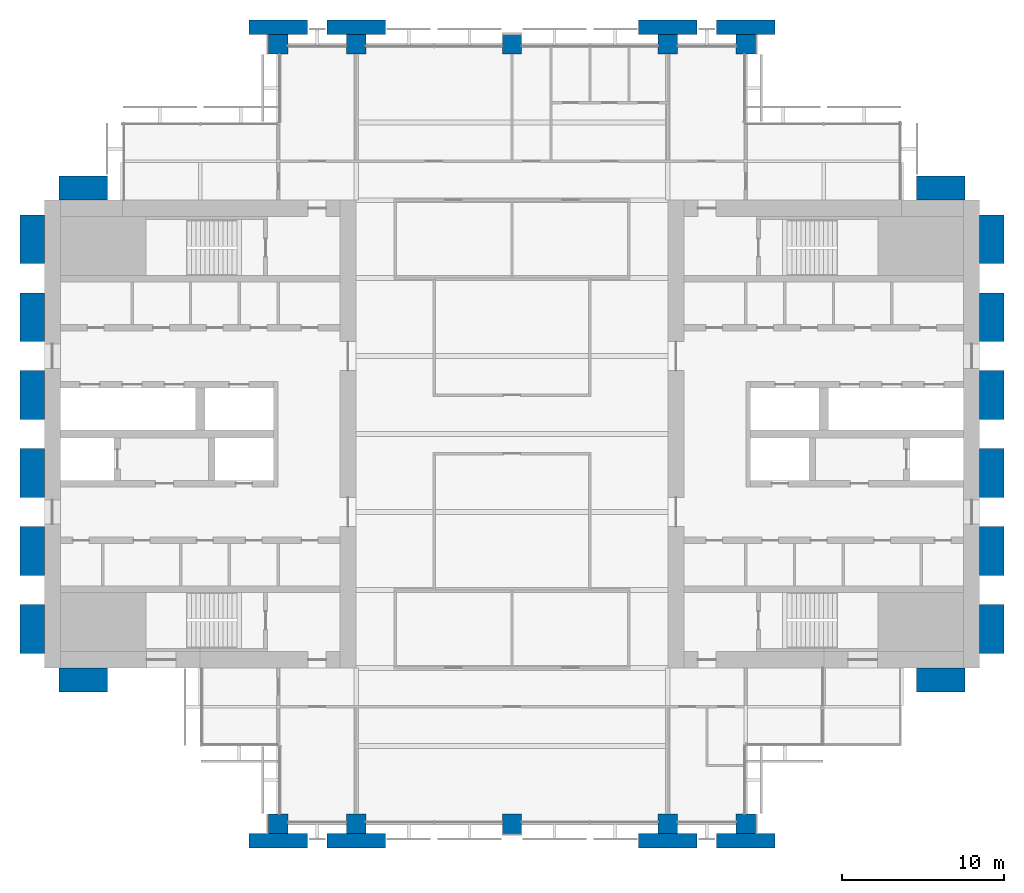
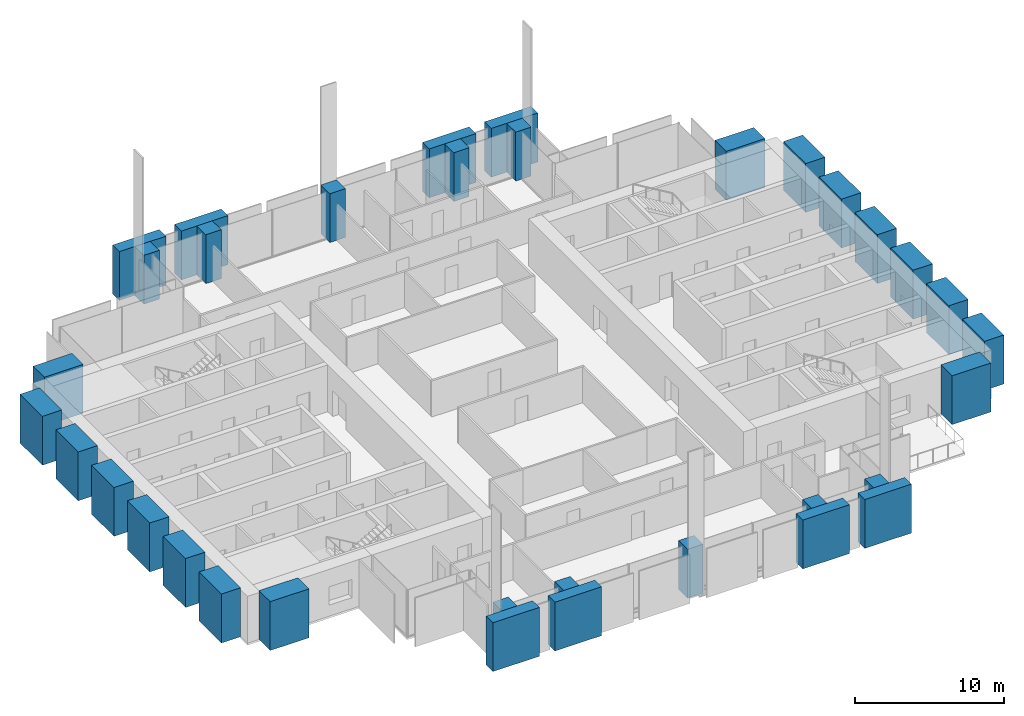
# One storey, part 1 of 14: 34 columns.
"""IFC4 building model written with IfcOpenShell, lengths in metres."""

import ifcopenshell
import ifcopenshell.guid

model = None  # the IFC model being written
_history = None  # IfcOwnerHistory: only IFC2X3 demands one
_inside = {}  # id of a spatial element -> (the spatial element, [elements in it])
_under = {}  # id of a project, library or spatial element -> (it, [spatial elements below it])
_declared = {}  # id of a project -> (the project, [libraries it declares])
_typed = {}  # id of a type object -> (the type object, [elements of that type])
_made_of = {}  # id of a material, layer set ... -> (it, [elements and type objects made of it])


def new_model(schema):
    """Start an empty IFC model of exactly this schema.

    Asked for "IFC4X3", IfcOpenShell would pick the latest addendum, in which some entities
    have other attributes; the version numbers below select the first issue.
    IFC2X3 requires an IfcOwnerHistory on every rooted entity: one is made here for all.
    """
    global model, _history
    if schema == "IFC4X3":
        model = ifcopenshell.file(schema_version=(4, 3, 0, 0))
    else:
        model = ifcopenshell.file(schema=schema)
    _inside.clear()
    _under.clear()
    _declared.clear()
    _typed.clear()
    _made_of.clear()
    _history = None
    if model.schema == "IFC2X3":
        org = make("IfcOrganization", Name="unknown")
        user = make(
            "IfcPersonAndOrganization",
            ThePerson=make("IfcPerson", FamilyName="unknown"),
            TheOrganization=org,
        )
        app = make(
            "IfcApplication",
            ApplicationDeveloper=org,
            Version="unknown",
            ApplicationFullName="unknown",
            ApplicationIdentifier="unknown",
        )
        _history = make(
            "IfcOwnerHistory",
            OwningUser=user,
            OwningApplication=app,
            ChangeAction="ADDED",
            CreationDate=0,
        )
    return model


def make(cls, **values):
    """One entity of the class cls with the attributes given. An attribute that is None is left unset."""
    return model.create_entity(
        cls, **{name: value for name, value in values.items() if value is not None}
    )


def rooted(cls, **values):
    """An entity with a GlobalId (a new one), such as an element, a storey or a relation."""
    return make(cls, GlobalId=ifcopenshell.guid.new(), OwnerHistory=_history, **values)


def si_unit(unit_type, name, prefix=None):
    """IfcSIUnit, for example si_unit("LENGTHUNIT", "METRE", prefix="MILLI")."""
    return make("IfcSIUnit", UnitType=unit_type, Prefix=prefix, Name=name)


def assignment(units):
    """IfcUnitAssignment: the units of a project."""
    return None if units is None else make("IfcUnitAssignment", Units=units)


def point(xyz):
    """IfcCartesianPoint."""
    return None if xyz is None else make("IfcCartesianPoint", Coordinates=xyz)


def direction(xyz):
    """IfcDirection."""
    return None if xyz is None else make("IfcDirection", DirectionRatios=xyz)


def frame(location, z_axis=None, x_axis=None):
    """IfcAxis2Placement3D, a coordinate frame: its origin and axes. An axis left out is left unset."""
    return make(
        "IfcAxis2Placement3D",
        Location=point(location),
        Axis=direction(z_axis),
        RefDirection=direction(x_axis),
    )


def frame_2d(location, x_axis=None):
    """IfcAxis2Placement2D, a coordinate frame in the plane: its origin and x axis."""
    return make(
        "IfcAxis2Placement2D", Location=point(location), RefDirection=direction(x_axis)
    )


def origin():
    """The frame at (0, 0, 0) with its axes left unset."""
    return frame((0.0, 0.0, 0.0))


def origin_2d():
    """The frame at (0, 0) in the plane with its x axis left unset."""
    return frame_2d((0.0, 0.0))


def place(relative_to, where):
    """IfcLocalPlacement: puts the frame where relative to a parent placement (None: the world)."""
    return make(
        "IfcLocalPlacement", PlacementRelTo=relative_to, RelativePlacement=where
    )


def context(
    kind, dimensions, precision=None, world=None, true_north=None, identifier=None
):
    """IfcGeometricRepresentationContext, for example the 3D "Model" context."""
    return make(
        "IfcGeometricRepresentationContext",
        ContextIdentifier=identifier,
        ContextType=kind,
        CoordinateSpaceDimension=dimensions,
        Precision=precision,
        WorldCoordinateSystem=world,
        TrueNorth=true_north,
    )


def subcontext(parent, identifier, kind, view, scale=None):
    """IfcGeometricRepresentationSubContext, for example "Body" below "Model"."""
    return make(
        "IfcGeometricRepresentationSubContext",
        ContextIdentifier=identifier,
        ContextType=kind,
        ParentContext=parent,
        TargetScale=scale,
        TargetView=view,
    )


def project(units=None, contexts=None):
    """IfcProject with its units and contexts."""
    return rooted(
        "IfcProject",
        Name="project",
        RepresentationContexts=contexts,
        UnitsInContext=assignment(units),
    )


def spatial(cls, under=None, at=None, **own):
    """A site, building, storey or space (cls), placed at a placement, below another one or the project."""
    s = rooted(cls, ObjectPlacement=at, **own)
    if under is not None:
        _under.setdefault(under.id(), (under, []))[1].append(s)
    return s


def profile(cls, at=None, kind="AREA", **sizes):
    """A parametric profile (cls). Its sizes go by their IFC names, for example OverallWidth=200.0."""
    return make(cls, ProfileType=kind, Position=at, **sizes)


def rectangle(**sizes):
    """IfcRectangleProfileDef."""
    return profile("IfcRectangleProfileDef", **sizes)


def extrude(swept, where, along, depth):
    """IfcExtrudedAreaSolid: the profile swept, set in the frame where, extruded along a direction by depth."""
    return make(
        "IfcExtrudedAreaSolid",
        SweptArea=swept,
        Position=where,
        ExtrudedDirection=direction(along),
        Depth=depth,
    )


def shape(context_of_items, identifier, shape_type, items):
    """IfcShapeRepresentation: the items that make up one representation, for example the "Body"."""
    return make(
        "IfcShapeRepresentation",
        ContextOfItems=context_of_items,
        RepresentationIdentifier=identifier,
        RepresentationType=shape_type,
        Items=items,
    )


def material(Name=None, Category=None):
    """IfcMaterial."""
    return make("IfcMaterial", Name=Name, Category=Category)


def material_profile(
    of_material, cross_section, Name=None, Category=None, Priority=None
):
    """IfcMaterialProfile: a cross section and its material."""
    return make(
        "IfcMaterialProfile",
        Name=Name,
        Material=of_material,
        Profile=cross_section,
        Priority=Priority,
        Category=Category,
    )


def profile_set(profiles, Name=None, composite=None):
    """IfcMaterialProfileSet."""
    return make(
        "IfcMaterialProfileSet",
        Name=Name,
        MaterialProfiles=profiles,
        CompositeProfile=composite,
    )


def made_of(thing, what):
    """Note that an element or type object is made of a material, layer set ...; save() writes the relation."""
    if what is not None:
        _made_of.setdefault(what.id(), (what, []))[1].append(thing)
    return thing


def type_object(cls, material=None, **own):
    """A type object (cls), such as IfcWallType, which elements share."""
    return made_of(rooted(cls, **own), material)


def element(
    cls,
    number,
    at=None,
    inside=None,
    cuts=None,
    type_object=None,
    material=None,
    context=None,
    identifier="Body",
    shape_type=None,
    held_by="IfcProductDefinitionShape",
    body=None,
    shapes=None,
    **own,
):
    """One element of the class cls, such as IfcWall. Its Tag is "e" and its number.

    at: its placement. inside: the storey or other place that contains it. cuts: it is an
    opening in that element (IfcRelVoidsElement). A single representation is given by context,
    identifier, shape_type and body (its items); several are given by shapes. held_by: the class
    of the entity that holds the representations. save() writes the other relations.
    """
    e = rooted(cls, Tag="e%d" % number, ObjectPlacement=at, **own)
    if body is not None:
        shapes = [shape(context, identifier, shape_type, body)]
    if shapes is not None:
        e.Representation = make(held_by, Representations=shapes)
    if inside is not None:
        _inside.setdefault(inside.id(), (inside, []))[1].append(e)
    if cuts is not None:
        rooted(
            "IfcRelVoidsElement", RelatingBuildingElement=cuts, RelatedOpeningElement=e
        )
    if type_object is not None:
        _typed.setdefault(type_object.id(), (type_object, []))[1].append(e)
    return made_of(e, material)


def aggregate(whole, parts):
    """IfcRelAggregates: a whole, such as a stair, and the parts it consists of."""
    return rooted("IfcRelAggregates", RelatingObject=whole, RelatedObjects=parts)


def save(model, path):
    """Write the relations noted so far, then the file.

    IfcRelAggregates (storeys below a building ...), IfcRelContainedInSpatialStructure (elements
    in a storey), IfcRelDefinesByType, IfcRelAssociatesMaterial and IfcRelDeclares: one each for
    every whole, place, type object, material and project.
    """
    for whole, parts in _under.values():
        aggregate(whole, parts)
    for where, things in _inside.values():
        rooted(
            "IfcRelContainedInSpatialStructure",
            RelatedElements=things,
            RelatingStructure=where,
        )
    for kind, things in _typed.values():
        rooted("IfcRelDefinesByType", RelatedObjects=things, RelatingType=kind)
    for what, things in _made_of.values():
        rooted("IfcRelAssociatesMaterial", RelatedObjects=things, RelatingMaterial=what)
    for by, libraries in _declared.values():
        rooted("IfcRelDeclares", RelatingContext=by, RelatedDefinitions=libraries)
    model.write(path)


model = new_model("IFC4")

# Units and contexts
model_context = context("Model", 3, precision=1e-05, world=origin(), true_north=direction((0.0, 1.0)))
body_context = subcontext(model_context, "Body", "Model", "MODEL_VIEW")
ifc_project = project(units=[si_unit("LENGTHUNIT", "METRE"), si_unit("AREAUNIT", "SQUARE_METRE"), si_unit("VOLUMEUNIT", "CUBIC_METRE"), si_unit("PLANEANGLEUNIT", "RADIAN"), si_unit("MASSUNIT", "GRAM", prefix="KILO")], contexts=[model_context])

# Site, building, storey
site_placement = place(None, origin())
site = spatial("IfcSite", under=ifc_project, at=site_placement, CompositionType="ELEMENT")
building_placement = place(site_placement, origin())
building = spatial("IfcBuilding", under=site, at=building_placement, Name="Baori Bourse Tower", CompositionType="ELEMENT")
storey_placement = place(building_placement, frame((0.0, 0.0, 120.10009765625)))
storey = spatial("IfcBuildingStorey", under=building, at=storey_placement, Name="L25", CompositionType="ELEMENT", Elevation=120.10009765625)

# Columns
ifc_material_1 = material(Name="Concrete f'c 60 MPa", Category="concrete")
ifc_material_profile_1 = material_profile(ifc_material_1, rectangle(XDim=3.60009765625, YDim=0.89990234375, at=origin_2d()), Name="RC 3600x900")
ifc_profile_set_1 = profile_set([ifc_material_profile_1], Name="Concrete f'c 60 MPa")
column_type_1 = type_object("IfcColumnType", Name="FN3 Brick pilaster 3600x900", PredefinedType="PILASTER", material=ifc_profile_set_1)
for number, where, z_axis, x_axis, name in (
    (1, (14.39990234375, -1.050048828125, 0.0), (0.0, 0.0, 1.0), (1.0, 0.0, 0.0), "Brick pilaster L25 17"),
    (2, (19.199951171875, -1.050048828125, 0.0), (0.0, 0.0, 1.0), (1.0, 0.0, 0.0), "Brick pilaster L25 18"),
    (3, (38.39990234375, -1.050048828125, 0.0), (0.0, 0.0, 1.0), (1.0, 0.0, 0.0), "Brick pilaster L25 19"),
    (4, (43.199951171875, -1.050048828125, 0.0), (0.0, 0.0, 1.0), (1.0, 0.0, 0.0), "Brick pilaster L25 20"),
    (5, (14.39990234375, 49.050048828125, 0.0), (0.0, 0.0, 1.0), (1.0, 0.0, 0.0), "Brick pilaster L25 21"),
    (6, (19.199951171875, 49.050048828125, 0.0), (0.0, 0.0, 1.0), (1.0, 0.0, 0.0), "Brick pilaster L25 22"),
    (7, (38.39990234375, 49.050048828125, 0.0), (0.0, 0.0, 1.0), (1.0, 0.0, 0.0), "Brick pilaster L25 23"),
    (8, (43.199951171875, 49.050048828125, 0.0), (0.0, 0.0, 1.0), (1.0, 0.0, 0.0), "Brick pilaster L25 24"),
):
    element("IfcColumn", number, at=place(storey_placement, frame(where, z_axis=z_axis, x_axis=x_axis)), inside=storey, type_object=column_type_1, Name=name, PredefinedType="PILASTER", context=body_context, shape_type="SweptSolid", body=[
        extrude(rectangle(XDim=3.60009765625, YDim=0.89990234375, at=origin_2d()), origin(), (0.0, 0.0, 1.0), 4.0),
    ])
ifc_material_2 = material(Name="Concrete f'c 60 MPa", Category="concrete")
ifc_material_profile_2 = material_profile(ifc_material_2, rectangle(XDim=3.0, YDim=1.5, at=origin_2d()), Name="RC 3000x1500")
ifc_profile_set_2 = profile_set([ifc_material_profile_2], Name="Concrete f'c 60 MPa")
column_type_2 = type_object("IfcColumnType", Name="FN4 Brick flank pilaster 3000x1500", PredefinedType="PILASTER", material=ifc_profile_set_2)
for number, where, z_axis, x_axis, name in (
    (9, (55.199951171875, 8.85009765625, 0.0), (0.0, 0.0, 1.0), (1.0, 0.0, 0.0), "Brick pilaster L25 1"),
    (10, (58.35009765625, 12.0, 0.0), (0.0, 0.0, 1.0), (0.0, 1.0, 0.0), "Brick pilaster L25 2"),
    (11, (58.35009765625, 16.800048828125, 0.0), (0.0, 0.0, 1.0), (0.0, 1.0, 0.0), "Brick pilaster L25 3"),
    (12, (58.35009765625, 21.60009765625, 0.0), (0.0, 0.0, 1.0), (0.0, 1.0, 0.0), "Brick pilaster L25 4"),
    (13, (58.35009765625, 26.39990234375, 0.0), (0.0, 0.0, 1.0), (0.0, 1.0, 0.0), "Brick pilaster L25 5"),
    (14, (58.35009765625, 31.199951171875, 0.0), (0.0, 0.0, 1.0), (0.0, 1.0, 0.0), "Brick pilaster L25 6"),
    (15, (58.35009765625, 36.0, 0.0), (0.0, 0.0, 1.0), (0.0, 1.0, 0.0), "Brick pilaster L25 7"),
    (16, (55.199951171875, 39.14990234375, 0.0), (0.0, 0.0, 1.0), (1.0, 0.0, 0.0), "Brick pilaster L25 8"),
    (17, (2.39990234375, 39.14990234375, 0.0), (0.0, 0.0, 1.0), (1.0, 0.0, 0.0), "Brick pilaster L25 9"),
    (18, (-0.75, 12.0, 0.0), (0.0, 0.0, 1.0), (0.0, 1.0, 0.0), "Brick pilaster L25 10"),
    (19, (-0.75, 16.800048828125, 0.0), (0.0, 0.0, 1.0), (0.0, 1.0, 0.0), "Brick pilaster L25 11"),
    (20, (-0.75, 21.60009765625, 0.0), (0.0, 0.0, 1.0), (0.0, 1.0, 0.0), "Brick pilaster L25 12"),
    (21, (-0.75, 26.39990234375, 0.0), (0.0, 0.0, 1.0), (0.0, 1.0, 0.0), "Brick pilaster L25 13"),
    (22, (-0.75, 31.199951171875, 0.0), (0.0, 0.0, 1.0), (0.0, 1.0, 0.0), "Brick pilaster L25 14"),
    (23, (-0.75, 36.0, 0.0), (0.0, 0.0, 1.0), (0.0, 1.0, 0.0), "Brick pilaster L25 15"),
    (24, (2.39990234375, 8.85009765625, 0.0), (0.0, 0.0, 1.0), (1.0, 0.0, 0.0), "Brick pilaster L25 16"),
):
    element("IfcColumn", number, at=place(storey_placement, frame(where, z_axis=z_axis, x_axis=x_axis)), inside=storey, type_object=column_type_2, Name=name, PredefinedType="PILASTER", context=body_context, shape_type="SweptSolid", body=[
        extrude(rectangle(XDim=3.0, YDim=1.5, at=origin_2d()), origin(), (0.0, 0.0, 1.0), 4.0),
    ])
ifc_material_3 = material(Name="Concrete f'c 60 MPa", Category="concrete")
ifc_material_profile_3 = material_profile(ifc_material_3, rectangle(XDim=1.199951171875, YDim=1.199951171875, at=origin_2d()), Name="RC 1200x1200")
ifc_profile_set_3 = profile_set([ifc_material_profile_3], Name="Concrete f'c 60 MPa")
column_type_3 = type_object("IfcColumnType", Name="Perimeter column 60 RC 1200x1200", PredefinedType="COLUMN", material=ifc_profile_set_3)
for number, where, z_axis, x_axis, name in (
    (25, (14.39990234375, 0.0, 0.0), (0.0, 0.0, 1.0), (1.0, 0.0, 0.0), "Perimeter column L25"),
    (26, (19.199951171875, 0.0, 0.0), (0.0, 0.0, 1.0), (1.0, 0.0, 0.0), "Perimeter column L25"),
    (27, (28.800048828125, 0.0, 0.0), (0.0, 0.0, 1.0), (1.0, 0.0, 0.0), "Perimeter column L25"),
    (28, (38.39990234375, 0.0, 0.0), (0.0, 0.0, 1.0), (1.0, 0.0, 0.0), "Perimeter column L25"),
    (29, (43.199951171875, 0.0, 0.0), (0.0, 0.0, 1.0), (1.0, 0.0, 0.0), "Perimeter column L25"),
    (30, (14.39990234375, 48.0, 0.0), (0.0, 0.0, 1.0), (1.0, 0.0, 0.0), "Perimeter column L25"),
    (31, (19.199951171875, 48.0, 0.0), (0.0, 0.0, 1.0), (1.0, 0.0, 0.0), "Perimeter column L25"),
    (32, (28.800048828125, 48.0, 0.0), (0.0, 0.0, 1.0), (1.0, 0.0, 0.0), "Perimeter column L25"),
    (33, (38.39990234375, 48.0, 0.0), (0.0, 0.0, 1.0), (1.0, 0.0, 0.0), "Perimeter column L25"),
    (34, (43.199951171875, 48.0, 0.0), (0.0, 0.0, 1.0), (1.0, 0.0, 0.0), "Perimeter column L25"),
):
    element("IfcColumn", number, at=place(storey_placement, frame(where, z_axis=z_axis, x_axis=x_axis)), inside=storey, type_object=column_type_3, Name=name, PredefinedType="COLUMN", context=body_context, shape_type="SweptSolid", body=[
        extrude(rectangle(XDim=1.199951171875, YDim=1.199951171875, at=origin_2d()), origin(), (0.0, 0.0, 1.0), 4.0),
    ])

save(model, "model.ifc")
